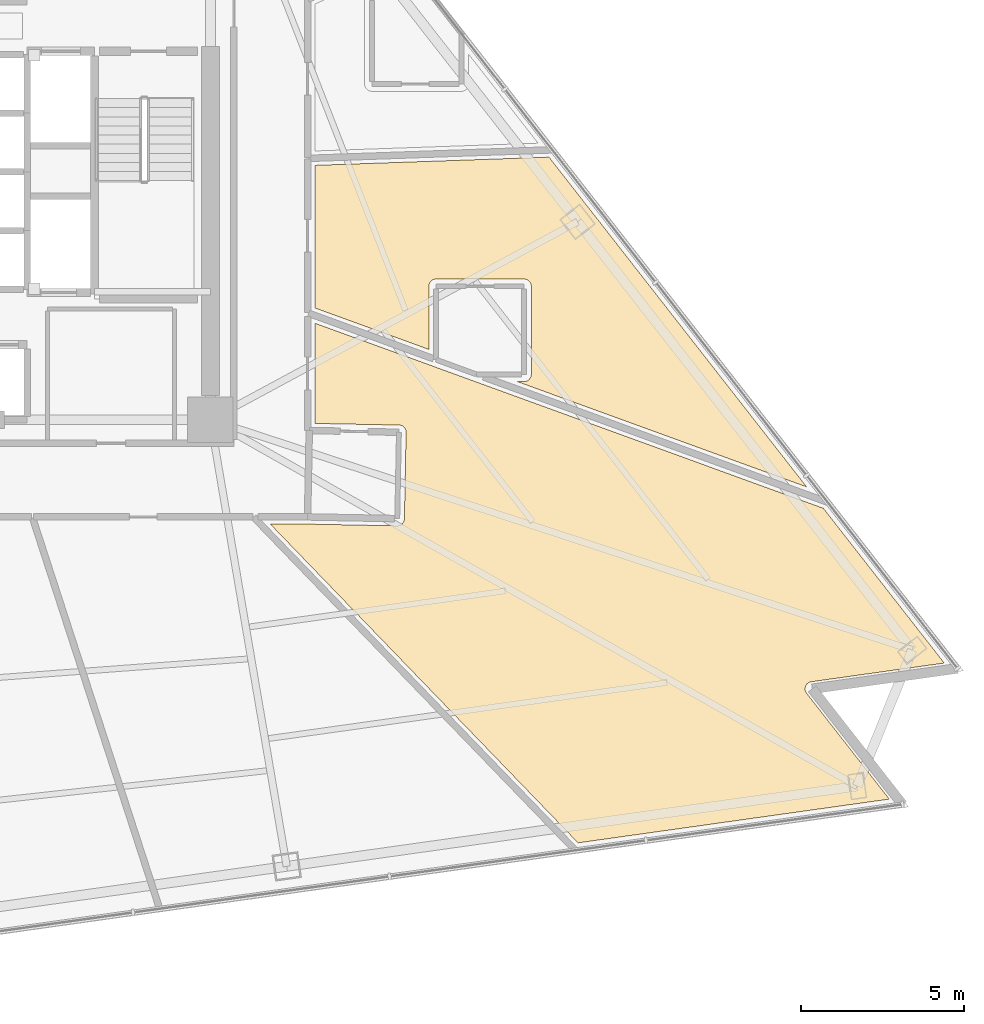
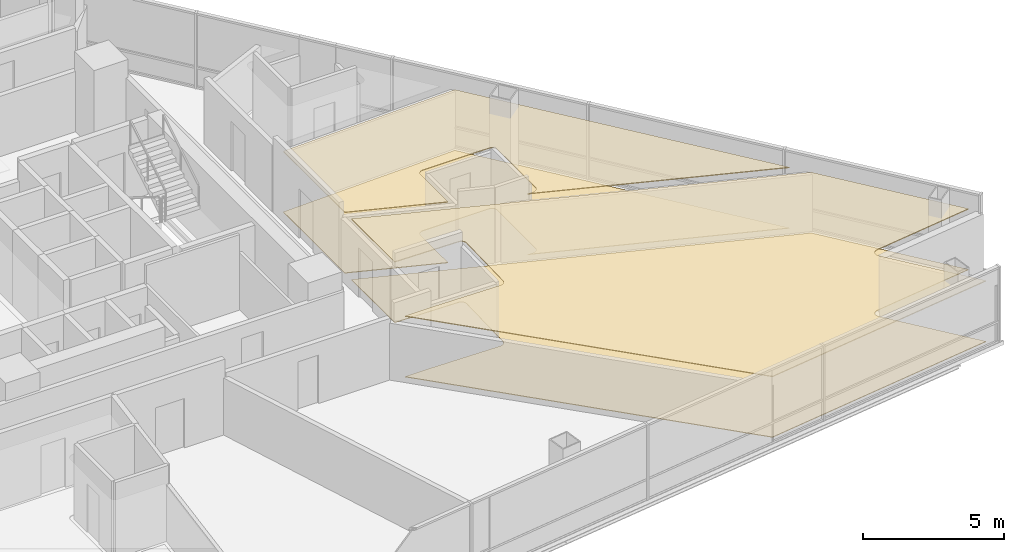
# One storey, part 13 of 15: 4 coverings.
"""IFC4 building model written with IfcOpenShell, lengths in metres."""

from ifc_helpers import new_model, si_unit, direction, frame, origin, place, context, subcontext, project, spatial, polyline, outline, extrude, material, layer, layer_set, type_object, element, save


model = new_model("IFC4")

# Units and contexts
model_context = context("Model", 3, precision=1e-05, world=origin(), true_north=direction((0.0, 1.0)))
body_context = subcontext(model_context, "Body", "Model", "MODEL_VIEW")
ifc_project = project(units=[si_unit("LENGTHUNIT", "METRE"), si_unit("AREAUNIT", "SQUARE_METRE"), si_unit("VOLUMEUNIT", "CUBIC_METRE"), si_unit("PLANEANGLEUNIT", "RADIAN"), si_unit("MASSUNIT", "GRAM", prefix="KILO")], contexts=[model_context])

# Site, building, storey
site_placement = place(None, origin())
site = spatial("IfcSite", under=ifc_project, at=site_placement, CompositionType="ELEMENT")
building_placement = place(site_placement, origin())
building = spatial("IfcBuilding", under=site, at=building_placement, Name="Tharavind Bronze Gate", CompositionType="ELEMENT")
storey_placement = place(building_placement, frame((0.0, 0.0, 63.85009765625)))
storey = spatial("IfcBuildingStorey", under=building, at=storey_placement, Name="L15", CompositionType="ELEMENT", Elevation=63.85009765625)

# Coverings
ifc_material_1 = material(Name="Engineered Oak & Carpet Tile", Category="wood")
ifc_layer_1 = layer(ifc_material_1, 0.02490234375)
ifc_layer_set_1 = layer_set([ifc_layer_1], Name="Engineered Oak & Carpet Tile")
covering_type_1 = type_object("IfcCoveringType", Name="ENGINEERED TIMBER FLOORING", PredefinedType="FLOORING", material=ifc_layer_set_1)
covering_1_placement = place(storey_placement, origin())
element("IfcCovering", 1, at=covering_1_placement, inside=storey, type_object=covering_type_1, Name="L15-RM-13 floor finish", PredefinedType="FLOORING", context=body_context, shape_type="SweptSolid", body=[
    extrude(outline(polyline([(20.175537109375, -20.57568359375), (29.7197265625, -19.234375), (27.184326171875, -15.989013671875), (27.177734375, -15.980224609375), (27.177490234375, -15.979736328125), (27.165771484375, -15.961181640625), (27.156005859375, -15.941650390625), (27.148193359375, -15.921142578125), (27.142333984375, -15.89990234375), (27.138916015625, -15.87841796875), (27.137451171875, -15.8564453125), (27.13818359375, -15.83447265625), (27.14111328125, -15.812744140625), (27.146240234375, -15.79150390625), (27.1533203125, -15.770751953125), (27.16259765625, -15.750732421875), (27.173583984375, -15.73193359375), (27.186767578125, -15.714111328125), (27.201416015625, -15.697998046875), (27.217529296875, -15.68310546875), (27.235107421875, -15.670166015625), (27.254150390625, -15.658935546875), (27.27392578125, -15.649658203125), (27.294677734375, -15.642333984375), (27.31591796875, -15.63720703125), (27.31640625, -15.636962890625), (27.327392578125, -15.63525390625), (31.405517578125, -15.06201171875), (27.69677734375, -10.31494140625), (12.10009765625, -4.63818359375), (12.10009765625, -7.713623046875), (14.684814453125, -7.763671875), (14.706298828125, -7.76513671875), (14.727783203125, -7.768798828125), (14.74853515625, -7.7744140625), (14.768798828125, -7.781982421875), (14.7880859375, -7.79150390625), (14.806396484375, -7.802978515625), (14.823486328125, -7.81640625), (14.839111328125, -7.8310546875), (14.853515625, -7.847412109375), (14.865966796875, -7.864990234375), (14.876708984375, -7.883544921875), (14.885498046875, -7.9033203125), (14.892333984375, -7.923828125), (14.897216796875, -7.94482421875), (14.89990234375, -7.96630859375), (14.900634765625, -7.98779296875), (14.849365234375, -10.63720703125), (14.847900390625, -10.658935546875), (14.844482421875, -10.68017578125), (14.838623046875, -10.700927734375), (14.8310546875, -10.72119140625), (14.8212890625, -10.740478515625), (14.81005859375, -10.7587890625), (14.796875, -10.77587890625), (14.781982421875, -10.79150390625), (14.765625, -10.805908203125), (14.748046875, -10.818359375), (14.7294921875, -10.8291015625), (14.709716796875, -10.837890625), (14.689208984375, -10.8447265625), (14.668212890625, -10.849609375), (14.646728515625, -10.852294921875), (14.625244140625, -10.85302734375), (11.877197265625, -10.800048828125), (10.7353515625, -10.800048828125), (20.175537109375, -20.57568359375)])), origin(), (0.0, 0.0, 1.0), 0.02490234375),
])
covering_2_placement = place(storey_placement, origin())
element("IfcCovering", 2, at=covering_2_placement, inside=storey, type_object=covering_type_1, Name="L15-RM-14 floor finish", PredefinedType="FLOORING", context=body_context, shape_type="SweptSolid", body=[
    extrude(outline(polyline([(12.10009765625, -4.169921875), (15.60009765625, -5.44384765625), (15.60009765625, -3.507080078125), (15.601318359375, -3.485595703125), (15.6044921875, -3.464111328125), (15.609619140625, -3.443359375), (15.616943359375, -3.423095703125), (15.626220703125, -3.403564453125), (15.63720703125, -3.385009765625), (15.650146484375, -3.36767578125), (15.66455078125, -3.3515625), (15.6806640625, -3.337158203125), (15.697998046875, -3.32421875), (15.71630859375, -3.31298828125), (15.73583984375, -3.303955078125), (15.75634765625, -3.296630859375), (15.777099609375, -3.29150390625), (15.798583984375, -3.2880859375), (15.820068359375, -3.287109375), (18.52001953125, -3.287109375), (18.541748046875, -3.2880859375), (18.56298828125, -3.29150390625), (18.583984375, -3.296630859375), (18.604248046875, -3.303955078125), (18.623779296875, -3.31298828125), (18.642333984375, -3.32421875), (18.65966796875, -3.337158203125), (18.67578125, -3.3515625), (18.690185546875, -3.36767578125), (18.702880859375, -3.385009765625), (18.714111328125, -3.403564453125), (18.723388671875, -3.423095703125), (18.730712890625, -3.443359375), (18.73583984375, -3.464111328125), (18.739013671875, -3.485595703125), (18.739990234375, -3.507080078125), (18.739990234375, -6.207275390625), (18.739013671875, -6.228759765625), (18.73583984375, -6.25), (18.730712890625, -6.27099609375), (18.723388671875, -6.29150390625), (18.714111328125, -6.310791015625), (18.702880859375, -6.329345703125), (18.690185546875, -6.3466796875), (18.67578125, -6.36279296875), (18.65966796875, -6.377197265625), (18.642333984375, -6.39013671875), (18.623779296875, -6.401123046875), (18.604248046875, -6.410400390625), (18.583984375, -6.417724609375), (18.56298828125, -6.4228515625), (18.541748046875, -6.426025390625), (18.52001953125, -6.42724609375), (18.3017578125, -6.42724609375), (27.185546875, -9.66064453125), (19.28369140625, 0.453369140625), (12.10009765625, 0.202392578125), (12.10009765625, -4.169921875)])), origin(), (0.0, 0.0, 1.0), 0.02490234375),
])
ifc_material_2 = material(Name="Acoustic Gypsum Board", Category="gypsum")
ifc_layer_2 = layer(ifc_material_2, 0.030029296875)
ifc_layer_set_2 = layer_set([ifc_layer_2], Name="Acoustic Gypsum Board")
covering_type_2 = type_object("IfcCoveringType", Name="GYPSUM SUSPENDED CEILING", PredefinedType="CEILING", material=ifc_layer_set_2)
covering_3_placement = place(storey_placement, frame((0.0, 0.0, 2.625)))
element("IfcCovering", 3, at=covering_3_placement, inside=storey, type_object=covering_type_2, Name="L15-RM-13 suspended ceiling", PredefinedType="CEILING", context=body_context, shape_type="SweptSolid", body=[
    extrude(outline(polyline([(20.175537109375, -20.57568359375), (29.7197265625, -19.234375), (27.184326171875, -15.989013671875), (27.177734375, -15.980224609375), (27.177490234375, -15.979736328125), (27.165771484375, -15.961181640625), (27.156005859375, -15.941650390625), (27.148193359375, -15.921142578125), (27.142333984375, -15.89990234375), (27.138916015625, -15.87841796875), (27.137451171875, -15.8564453125), (27.13818359375, -15.83447265625), (27.14111328125, -15.812744140625), (27.146240234375, -15.79150390625), (27.1533203125, -15.770751953125), (27.16259765625, -15.750732421875), (27.173583984375, -15.73193359375), (27.186767578125, -15.714111328125), (27.201416015625, -15.697998046875), (27.217529296875, -15.68310546875), (27.235107421875, -15.670166015625), (27.254150390625, -15.658935546875), (27.27392578125, -15.649658203125), (27.294677734375, -15.642333984375), (27.31591796875, -15.63720703125), (27.31640625, -15.636962890625), (27.327392578125, -15.63525390625), (31.405517578125, -15.06201171875), (27.69677734375, -10.31494140625), (12.10009765625, -4.63818359375), (12.10009765625, -7.713623046875), (14.684814453125, -7.763671875), (14.706298828125, -7.76513671875), (14.727783203125, -7.768798828125), (14.74853515625, -7.7744140625), (14.768798828125, -7.781982421875), (14.7880859375, -7.79150390625), (14.806396484375, -7.802978515625), (14.823486328125, -7.81640625), (14.839111328125, -7.8310546875), (14.853515625, -7.847412109375), (14.865966796875, -7.864990234375), (14.876708984375, -7.883544921875), (14.885498046875, -7.9033203125), (14.892333984375, -7.923828125), (14.897216796875, -7.94482421875), (14.89990234375, -7.96630859375), (14.900634765625, -7.98779296875), (14.849365234375, -10.63720703125), (14.847900390625, -10.658935546875), (14.844482421875, -10.68017578125), (14.838623046875, -10.700927734375), (14.8310546875, -10.72119140625), (14.8212890625, -10.740478515625), (14.81005859375, -10.7587890625), (14.796875, -10.77587890625), (14.781982421875, -10.79150390625), (14.765625, -10.805908203125), (14.748046875, -10.818359375), (14.7294921875, -10.8291015625), (14.709716796875, -10.837890625), (14.689208984375, -10.8447265625), (14.668212890625, -10.849609375), (14.646728515625, -10.852294921875), (14.625244140625, -10.85302734375), (11.877197265625, -10.800048828125), (10.7353515625, -10.800048828125), (20.175537109375, -20.57568359375)])), origin(), (0.0, 0.0, 1.0), 0.034912109375),
])
covering_4_placement = place(storey_placement, frame((0.0, 0.0, 2.625)))
element("IfcCovering", 4, at=covering_4_placement, inside=storey, type_object=covering_type_2, Name="L15-RM-14 suspended ceiling", PredefinedType="CEILING", context=body_context, shape_type="SweptSolid", body=[
    extrude(outline(polyline([(12.10009765625, -4.169921875), (15.60009765625, -5.44384765625), (15.60009765625, -3.507080078125), (15.601318359375, -3.485595703125), (15.6044921875, -3.464111328125), (15.609619140625, -3.443359375), (15.616943359375, -3.423095703125), (15.626220703125, -3.403564453125), (15.63720703125, -3.385009765625), (15.650146484375, -3.36767578125), (15.66455078125, -3.3515625), (15.6806640625, -3.337158203125), (15.697998046875, -3.32421875), (15.71630859375, -3.31298828125), (15.73583984375, -3.303955078125), (15.75634765625, -3.296630859375), (15.777099609375, -3.29150390625), (15.798583984375, -3.2880859375), (15.820068359375, -3.287109375), (18.52001953125, -3.287109375), (18.541748046875, -3.2880859375), (18.56298828125, -3.29150390625), (18.583984375, -3.296630859375), (18.604248046875, -3.303955078125), (18.623779296875, -3.31298828125), (18.642333984375, -3.32421875), (18.65966796875, -3.337158203125), (18.67578125, -3.3515625), (18.690185546875, -3.36767578125), (18.702880859375, -3.385009765625), (18.714111328125, -3.403564453125), (18.723388671875, -3.423095703125), (18.730712890625, -3.443359375), (18.73583984375, -3.464111328125), (18.739013671875, -3.485595703125), (18.739990234375, -3.507080078125), (18.739990234375, -6.207275390625), (18.739013671875, -6.228759765625), (18.73583984375, -6.25), (18.730712890625, -6.27099609375), (18.723388671875, -6.29150390625), (18.714111328125, -6.310791015625), (18.702880859375, -6.329345703125), (18.690185546875, -6.3466796875), (18.67578125, -6.36279296875), (18.65966796875, -6.377197265625), (18.642333984375, -6.39013671875), (18.623779296875, -6.401123046875), (18.604248046875, -6.410400390625), (18.583984375, -6.417724609375), (18.56298828125, -6.4228515625), (18.541748046875, -6.426025390625), (18.52001953125, -6.42724609375), (18.3017578125, -6.42724609375), (27.185546875, -9.66064453125), (19.28369140625, 0.453369140625), (12.10009765625, 0.202392578125), (12.10009765625, -4.169921875)])), origin(), (0.0, 0.0, 1.0), 0.034912109375),
])

save(model, "model.ifc")
